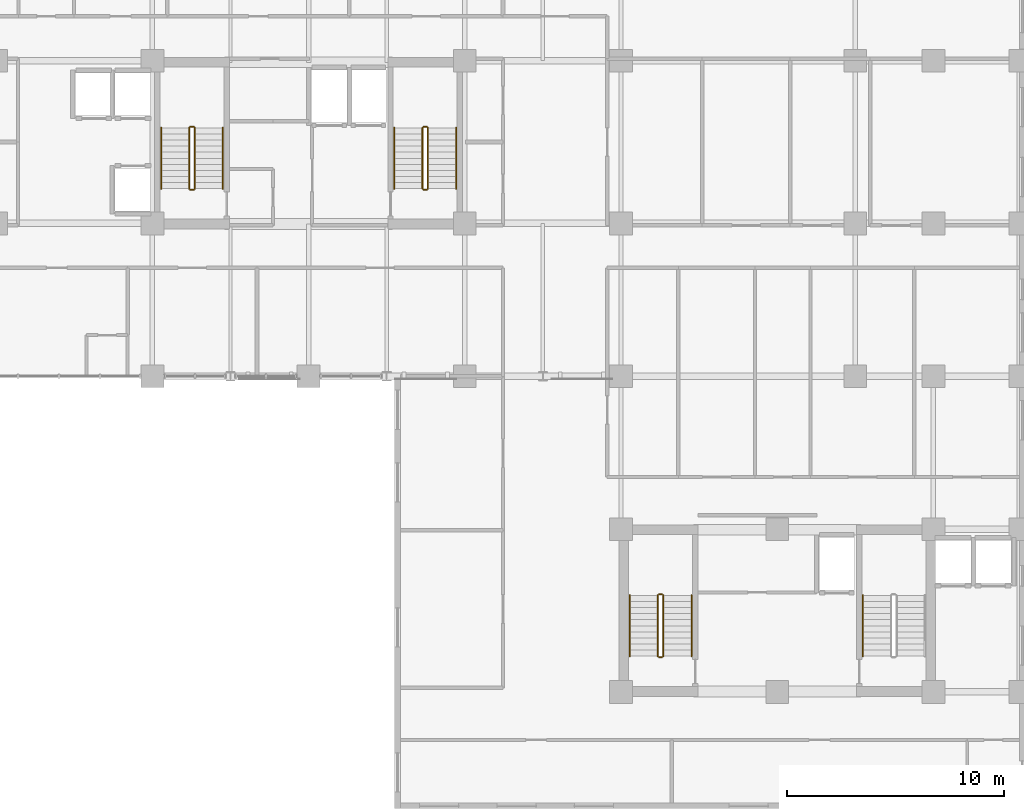
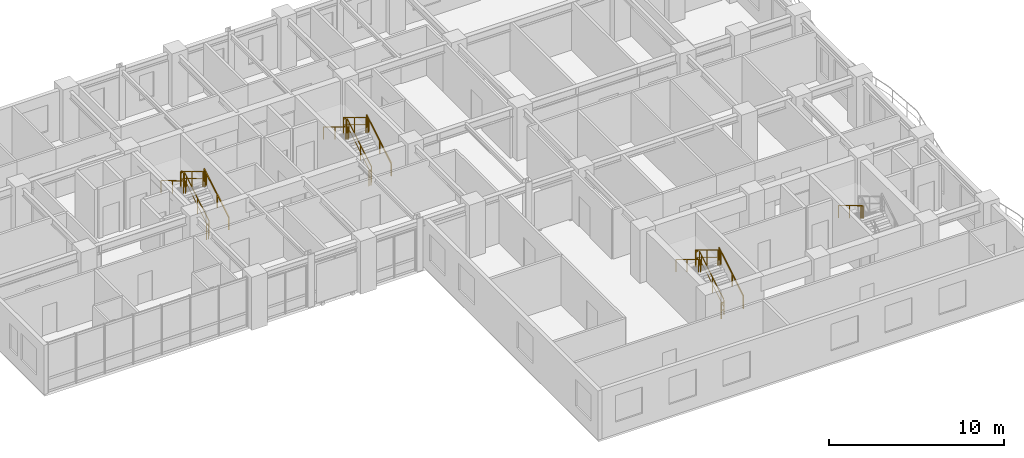
# One storey, part 15 of 17: 19 railings.
"""IFC4 building model written with IfcOpenShell, lengths in metres."""

from ifc_helpers import new_model, si_unit, direction, frame, origin, origin_2d, place, context, subcontext, project, spatial, rectangle, extrude, material, type_object, element, save


model = new_model("IFC4")

# Units and contexts
model_context = context("Model", 3, precision=1e-05, world=origin(), true_north=direction((0.0, 1.0)))
body_context = subcontext(model_context, "Body", "Model", "MODEL_VIEW")
ifc_project = project(units=[si_unit("LENGTHUNIT", "METRE"), si_unit("AREAUNIT", "SQUARE_METRE"), si_unit("VOLUMEUNIT", "CUBIC_METRE"), si_unit("PLANEANGLEUNIT", "RADIAN"), si_unit("MASSUNIT", "GRAM", prefix="KILO")], contexts=[model_context])

# Site, building, storey
site_placement = place(None, origin())
site = spatial("IfcSite", under=ifc_project, at=site_placement, CompositionType="ELEMENT")
building_placement = place(site_placement, origin())
building = spatial("IfcBuilding", under=site, at=building_placement, Name="Kaliganga Portal Commons", CompositionType="ELEMENT")
storey_placement = place(building_placement, frame((0.0, 0.0, 143.89990234375)))
storey = spatial("IfcBuildingStorey", under=building, at=storey_placement, Name="L36", CompositionType="ELEMENT", Elevation=143.89990234375)

# Railings
ifc_material_1 = material(Name="Galvanized Painted Steel Balustrade", Category="steel")
railing_type_1 = type_object("IfcRailingType", Name="RLG-STAIR-GRD", PredefinedType="GUARDRAIL", material=ifc_material_1)
railing_1_placement = place(storey_placement, frame((16.35009765625, 30.25, 0.168212890625)))
element("IfcRailing", 1, at=railing_1_placement, inside=storey, type_object=railing_type_1, Name="L36 ST-A1 stair guard 1", PredefinedType="GUARDRAIL", context=body_context, shape_type="SweptSolid", body=[
    extrude(rectangle(XDim=0.048095703125, YDim=0.048095703125, at=origin_2d()), frame((0.0, 0.0, 1.072021484375), z_axis=(0.0, 0.857242210791, 0.514913383045), x_axis=(-1.0, 0.0, 0.0)), (0.0, 0.0, 1.0), 3.266357421875),
    extrude(rectangle(XDim=0.028076171875, YDim=0.028076171875, at=origin_2d()), frame((0.0, 0.0, 0.572021484375), z_axis=(0.0, 0.857242210791, 0.514913383045), x_axis=(-1.0, 0.0, 0.0)), (0.0, 0.0, 1.0), 3.266357421875),
    extrude(rectangle(XDim=0.0419921875, YDim=0.0419921875, at=origin_2d()), origin(), (0.0, 0.0, 1.0), 1.052001953125),
    extrude(rectangle(XDim=0.0419921875, YDim=0.0419921875, at=origin_2d()), frame((0.0, 1.285888671875, 0.7724609375)), (0.0, 0.0, 1.0), 1.052001953125),
    extrude(rectangle(XDim=0.0419921875, YDim=0.0419921875, at=origin_2d()), frame((0.0, 2.57177734375, 1.544677734375)), (0.0, 0.0, 1.0), 1.052001953125),
    extrude(rectangle(XDim=0.0419921875, YDim=0.0419921875, at=origin_2d()), frame((0.0, 2.800048828125, 1.681884765625)), (0.0, 0.0, 1.0), 1.052001953125),
])
railing_2_placement = place(storey_placement, frame((16.300048828125, 33.10009765625, 1.85009765625)))
element("IfcRailing", 2, at=railing_2_placement, inside=storey, type_object=railing_type_1, Name="L36 ST-A1 stair guard 2", PredefinedType="GUARDRAIL", context=body_context, shape_type="SweptSolid", body=[
    extrude(rectangle(XDim=0.048095703125, YDim=0.048095703125, at=origin_2d()), frame((0.0, 0.0, 1.076171875), z_axis=(-1.0, 0.0, 0.0), x_axis=(0.0, -1.0, 0.0)), (0.0, 0.0, 1.0), 0.150146484375),
    extrude(rectangle(XDim=0.028076171875, YDim=0.028076171875, at=origin_2d()), frame((0.0, 0.0, 0.572021484375), z_axis=(-1.0, 0.0, 0.0), x_axis=(0.0, -1.0, 0.0)), (0.0, 0.0, 1.0), 0.150146484375),
    extrude(rectangle(XDim=0.0419921875, YDim=0.0419921875, at=origin_2d()), origin(), (0.0, 0.0, 1.0), 1.052001953125),
    extrude(rectangle(XDim=0.0419921875, YDim=0.0419921875, at=origin_2d()), frame((-0.150146484375, 0.0, 0.0)), (0.0, 0.0, 1.0), 1.052001953125),
])
railing_3_placement = place(storey_placement, frame((16.10009765625, 33.050048828125, 2.018310546875)))
element("IfcRailing", 3, at=railing_3_placement, inside=storey, type_object=railing_type_1, Name="L36 ST-A1 stair guard 3", PredefinedType="GUARDRAIL", context=body_context, shape_type="SweptSolid", body=[
    extrude(rectangle(XDim=0.048095703125, YDim=0.048095703125, at=origin_2d()), frame((0.0, 0.0, 1.072021484375), z_axis=(0.0, -0.857242210791, 0.514913383045), x_axis=(1.0, 0.0, 0.0)), (0.0, 0.0, 1.0), 3.266357421875),
    extrude(rectangle(XDim=0.028076171875, YDim=0.028076171875, at=origin_2d()), frame((0.0, 0.0, 0.572021484375), z_axis=(0.0, -0.857242210791, 0.514913383045), x_axis=(1.0, 0.0, 0.0)), (0.0, 0.0, 1.0), 3.266357421875),
    extrude(rectangle(XDim=0.0419921875, YDim=0.0419921875, at=origin_2d()), origin(), (0.0, 0.0, 1.0), 1.052001953125),
    extrude(rectangle(XDim=0.0419921875, YDim=0.0419921875, at=origin_2d()), frame((0.0, -1.285888671875, 0.7724609375)), (0.0, 0.0, 1.0), 1.052001953125),
    extrude(rectangle(XDim=0.0419921875, YDim=0.0419921875, at=origin_2d()), frame((0.0, -2.57177734375, 1.544677734375)), (0.0, 0.0, 1.0), 1.052001953125),
    extrude(rectangle(XDim=0.0419921875, YDim=0.0419921875, at=origin_2d()), frame((0.0, -2.800048828125, 1.681884765625)), (0.0, 0.0, 1.0), 1.052001953125),
])
railing_4_placement = place(storey_placement, frame((16.300048828125, 30.199951171875, 0.0)))
element("IfcRailing", 4, at=railing_4_placement, inside=storey, type_object=railing_type_1, Name="L36 ST-A1 stair guard 4", PredefinedType="GUARDRAIL", context=body_context, shape_type="SweptSolid", body=[
    extrude(rectangle(XDim=0.048095703125, YDim=0.048095703125, at=origin_2d()), frame((0.0, 0.0, 1.076171875), z_axis=(-1.0, 0.0, 0.0), x_axis=(0.0, -1.0, 0.0)), (0.0, 0.0, 1.0), 0.150146484375),
    extrude(rectangle(XDim=0.028076171875, YDim=0.028076171875, at=origin_2d()), frame((0.0, 0.0, 0.572021484375), z_axis=(-1.0, 0.0, 0.0), x_axis=(0.0, -1.0, 0.0)), (0.0, 0.0, 1.0), 0.150146484375),
    extrude(rectangle(XDim=0.0419921875, YDim=0.0419921875, at=origin_2d()), origin(), (0.0, 0.0, 1.0), 1.052001953125),
    extrude(rectangle(XDim=0.0419921875, YDim=0.0419921875, at=origin_2d()), frame((-0.150146484375, 0.0, 0.0)), (0.0, 0.0, 1.0), 1.052001953125),
])
railing_5_placement = place(storey_placement, frame((27.10009765625, 30.25, 0.168212890625)))
element("IfcRailing", 5, at=railing_5_placement, inside=storey, type_object=railing_type_1, Name="L36 ST-A2 stair guard 1", PredefinedType="GUARDRAIL", context=body_context, shape_type="SweptSolid", body=[
    extrude(rectangle(XDim=0.048095703125, YDim=0.048095703125, at=origin_2d()), frame((0.0, 0.0, 1.072021484375), z_axis=(0.0, 0.857242210791, 0.514913383045), x_axis=(-1.0, 0.0, 0.0)), (0.0, 0.0, 1.0), 3.266357421875),
    extrude(rectangle(XDim=0.028076171875, YDim=0.028076171875, at=origin_2d()), frame((0.0, 0.0, 0.572021484375), z_axis=(0.0, 0.857242210791, 0.514913383045), x_axis=(-1.0, 0.0, 0.0)), (0.0, 0.0, 1.0), 3.266357421875),
    extrude(rectangle(XDim=0.0419921875, YDim=0.0419921875, at=origin_2d()), origin(), (0.0, 0.0, 1.0), 1.052001953125),
    extrude(rectangle(XDim=0.0419921875, YDim=0.0419921875, at=origin_2d()), frame((0.0, 1.285888671875, 0.7724609375)), (0.0, 0.0, 1.0), 1.052001953125),
    extrude(rectangle(XDim=0.0419921875, YDim=0.0419921875, at=origin_2d()), frame((0.0, 2.57177734375, 1.544677734375)), (0.0, 0.0, 1.0), 1.052001953125),
    extrude(rectangle(XDim=0.0419921875, YDim=0.0419921875, at=origin_2d()), frame((0.0, 2.800048828125, 1.681884765625)), (0.0, 0.0, 1.0), 1.052001953125),
])
railing_6_placement = place(storey_placement, frame((27.050048828125, 33.10009765625, 1.85009765625)))
element("IfcRailing", 6, at=railing_6_placement, inside=storey, type_object=railing_type_1, Name="L36 ST-A2 stair guard 2", PredefinedType="GUARDRAIL", context=body_context, shape_type="SweptSolid", body=[
    extrude(rectangle(XDim=0.048095703125, YDim=0.048095703125, at=origin_2d()), frame((0.0, 0.0, 1.076171875), z_axis=(-1.0, 0.0, 0.0), x_axis=(0.0, -1.0, 0.0)), (0.0, 0.0, 1.0), 0.150146484375),
    extrude(rectangle(XDim=0.028076171875, YDim=0.028076171875, at=origin_2d()), frame((0.0, 0.0, 0.572021484375), z_axis=(-1.0, 0.0, 0.0), x_axis=(0.0, -1.0, 0.0)), (0.0, 0.0, 1.0), 0.150146484375),
    extrude(rectangle(XDim=0.0419921875, YDim=0.0419921875, at=origin_2d()), origin(), (0.0, 0.0, 1.0), 1.052001953125),
    extrude(rectangle(XDim=0.0419921875, YDim=0.0419921875, at=origin_2d()), frame((-0.150146484375, 0.0, 0.0)), (0.0, 0.0, 1.0), 1.052001953125),
])
railing_7_placement = place(storey_placement, frame((26.85009765625, 33.050048828125, 2.018310546875)))
element("IfcRailing", 7, at=railing_7_placement, inside=storey, type_object=railing_type_1, Name="L36 ST-A2 stair guard 3", PredefinedType="GUARDRAIL", context=body_context, shape_type="SweptSolid", body=[
    extrude(rectangle(XDim=0.048095703125, YDim=0.048095703125, at=origin_2d()), frame((0.0, 0.0, 1.072021484375), z_axis=(0.0, -0.857242210791, 0.514913383045), x_axis=(1.0, 0.0, 0.0)), (0.0, 0.0, 1.0), 3.266357421875),
    extrude(rectangle(XDim=0.028076171875, YDim=0.028076171875, at=origin_2d()), frame((0.0, 0.0, 0.572021484375), z_axis=(0.0, -0.857242210791, 0.514913383045), x_axis=(1.0, 0.0, 0.0)), (0.0, 0.0, 1.0), 3.266357421875),
    extrude(rectangle(XDim=0.0419921875, YDim=0.0419921875, at=origin_2d()), origin(), (0.0, 0.0, 1.0), 1.052001953125),
    extrude(rectangle(XDim=0.0419921875, YDim=0.0419921875, at=origin_2d()), frame((0.0, -1.285888671875, 0.7724609375)), (0.0, 0.0, 1.0), 1.052001953125),
    extrude(rectangle(XDim=0.0419921875, YDim=0.0419921875, at=origin_2d()), frame((0.0, -2.57177734375, 1.544677734375)), (0.0, 0.0, 1.0), 1.052001953125),
    extrude(rectangle(XDim=0.0419921875, YDim=0.0419921875, at=origin_2d()), frame((0.0, -2.800048828125, 1.681884765625)), (0.0, 0.0, 1.0), 1.052001953125),
])
railing_8_placement = place(storey_placement, frame((27.050048828125, 30.199951171875, 0.0)))
element("IfcRailing", 8, at=railing_8_placement, inside=storey, type_object=railing_type_1, Name="L36 ST-A2 stair guard 4", PredefinedType="GUARDRAIL", context=body_context, shape_type="SweptSolid", body=[
    extrude(rectangle(XDim=0.048095703125, YDim=0.048095703125, at=origin_2d()), frame((0.0, 0.0, 1.076171875), z_axis=(-1.0, 0.0, 0.0), x_axis=(0.0, -1.0, 0.0)), (0.0, 0.0, 1.0), 0.150146484375),
    extrude(rectangle(XDim=0.028076171875, YDim=0.028076171875, at=origin_2d()), frame((0.0, 0.0, 0.572021484375), z_axis=(-1.0, 0.0, 0.0), x_axis=(0.0, -1.0, 0.0)), (0.0, 0.0, 1.0), 0.150146484375),
    extrude(rectangle(XDim=0.0419921875, YDim=0.0419921875, at=origin_2d()), origin(), (0.0, 0.0, 1.0), 1.052001953125),
    extrude(rectangle(XDim=0.0419921875, YDim=0.0419921875, at=origin_2d()), frame((-0.150146484375, 0.0, 0.0)), (0.0, 0.0, 1.0), 1.052001953125),
])
railing_9_placement = place(storey_placement, frame((37.949951171875, 8.699951171875, 0.168212890625)))
element("IfcRailing", 9, at=railing_9_placement, inside=storey, type_object=railing_type_1, Name="L36 ST-B1 stair guard 1", PredefinedType="GUARDRAIL", context=body_context, shape_type="SweptSolid", body=[
    extrude(rectangle(XDim=0.048095703125, YDim=0.048095703125, at=origin_2d()), frame((0.0, 0.0, 1.072021484375), z_axis=(0.0, 0.857242210791, 0.514913383045), x_axis=(-1.0, 0.0, 0.0)), (0.0, 0.0, 1.0), 3.266357421875),
    extrude(rectangle(XDim=0.028076171875, YDim=0.028076171875, at=origin_2d()), frame((0.0, 0.0, 0.572021484375), z_axis=(0.0, 0.857242210791, 0.514913383045), x_axis=(-1.0, 0.0, 0.0)), (0.0, 0.0, 1.0), 3.266357421875),
    extrude(rectangle(XDim=0.0419921875, YDim=0.0419921875, at=origin_2d()), origin(), (0.0, 0.0, 1.0), 1.052001953125),
    extrude(rectangle(XDim=0.0419921875, YDim=0.0419921875, at=origin_2d()), frame((0.0, 1.285888671875, 0.7724609375)), (0.0, 0.0, 1.0), 1.052001953125),
    extrude(rectangle(XDim=0.0419921875, YDim=0.0419921875, at=origin_2d()), frame((0.0, 2.57177734375, 1.544677734375)), (0.0, 0.0, 1.0), 1.052001953125),
    extrude(rectangle(XDim=0.0419921875, YDim=0.0419921875, at=origin_2d()), frame((0.0, 2.800048828125, 1.681884765625)), (0.0, 0.0, 1.0), 1.052001953125),
])
railing_10_placement = place(storey_placement, frame((37.89990234375, 11.550048828125, 1.85009765625)))
element("IfcRailing", 10, at=railing_10_placement, inside=storey, type_object=railing_type_1, Name="L36 ST-B1 stair guard 2", PredefinedType="GUARDRAIL", context=body_context, shape_type="SweptSolid", body=[
    extrude(rectangle(XDim=0.048095703125, YDim=0.048095703125, at=origin_2d()), frame((0.0, 0.0, 1.076171875), z_axis=(-1.0, 0.0, 0.0), x_axis=(0.0, -1.0, 0.0)), (0.0, 0.0, 1.0), 0.14990234375),
    extrude(rectangle(XDim=0.028076171875, YDim=0.028076171875, at=origin_2d()), frame((0.0, 0.0, 0.572021484375), z_axis=(-1.0, 0.0, 0.0), x_axis=(0.0, -1.0, 0.0)), (0.0, 0.0, 1.0), 0.14990234375),
    extrude(rectangle(XDim=0.0419921875, YDim=0.0419921875, at=origin_2d()), frame((-0.14990234375, 0.0, 0.0)), (0.0, 0.0, 1.0), 1.052001953125),
])
railing_11_placement = place(storey_placement, frame((37.699951171875, 11.5, 2.018310546875)))
element("IfcRailing", 11, at=railing_11_placement, inside=storey, type_object=railing_type_1, Name="L36 ST-B1 stair guard 3", PredefinedType="GUARDRAIL", context=body_context, shape_type="SweptSolid", body=[
    extrude(rectangle(XDim=0.048095703125, YDim=0.048095703125, at=origin_2d()), frame((0.0, 0.0, 1.072021484375), z_axis=(0.0, -0.857242210791, 0.514913383045), x_axis=(1.0, 0.0, 0.0)), (0.0, 0.0, 1.0), 3.266357421875),
    extrude(rectangle(XDim=0.028076171875, YDim=0.028076171875, at=origin_2d()), frame((0.0, 0.0, 0.572021484375), z_axis=(0.0, -0.857242210791, 0.514913383045), x_axis=(1.0, 0.0, 0.0)), (0.0, 0.0, 1.0), 3.266357421875),
    extrude(rectangle(XDim=0.0419921875, YDim=0.0419921875, at=origin_2d()), origin(), (0.0, 0.0, 1.0), 1.052001953125),
    extrude(rectangle(XDim=0.0419921875, YDim=0.0419921875, at=origin_2d()), frame((0.0, -1.285888671875, 0.7724609375)), (0.0, 0.0, 1.0), 1.052001953125),
    extrude(rectangle(XDim=0.0419921875, YDim=0.0419921875, at=origin_2d()), frame((0.0, -2.57177734375, 1.544677734375)), (0.0, 0.0, 1.0), 1.052001953125),
    extrude(rectangle(XDim=0.0419921875, YDim=0.0419921875, at=origin_2d()), frame((0.0, -2.800048828125, 1.681884765625)), (0.0, 0.0, 1.0), 1.052001953125),
])
railing_12_placement = place(storey_placement, frame((37.89990234375, 8.64990234375, 0.0)))
element("IfcRailing", 12, at=railing_12_placement, inside=storey, type_object=railing_type_1, Name="L36 ST-B1 stair guard 4", PredefinedType="GUARDRAIL", context=body_context, shape_type="SweptSolid", body=[
    extrude(rectangle(XDim=0.048095703125, YDim=0.048095703125, at=origin_2d()), frame((0.0, 0.0, 1.076171875), z_axis=(-1.0, 0.0, 0.0), x_axis=(0.0, -1.0, 0.0)), (0.0, 0.0, 1.0), 0.14990234375),
    extrude(rectangle(XDim=0.028076171875, YDim=0.028076171875, at=origin_2d()), frame((0.0, 0.0, 0.572021484375), z_axis=(-1.0, 0.0, 0.0), x_axis=(0.0, -1.0, 0.0)), (0.0, 0.0, 1.0), 0.14990234375),
    extrude(rectangle(XDim=0.0419921875, YDim=0.0419921875, at=origin_2d()), frame((-0.14990234375, 0.0, 0.0)), (0.0, 0.0, 1.0), 1.052001953125),
])
ifc_material_2 = material(Name="Brushed Stainless Steel 316", Category="steel")
railing_type_2 = type_object("IfcRailingType", Name="RLG-STAIR-HR", PredefinedType="HANDRAIL", material=ifc_material_2)
railing_13_placement = place(storey_placement, frame((17.64990234375, 30.25, 0.168212890625)))
element("IfcRailing", 13, at=railing_13_placement, inside=storey, type_object=railing_type_2, Name="L36 ST-A1 stair handrail 1", PredefinedType="HANDRAIL", context=body_context, shape_type="SweptSolid", body=[
    extrude(rectangle(XDim=0.048095703125, YDim=0.048095703125, at=origin_2d()), frame((0.0, 0.0, 0.871826171875), z_axis=(0.0, 0.857242210791, 0.514913383045), x_axis=(-1.0, 0.0, 0.0)), (0.0, 0.0, 1.0), 3.266357421875),
    extrude(rectangle(XDim=0.0419921875, YDim=0.0419921875, at=origin_2d()), origin(), (0.0, 0.0, 1.0), 0.851806640625),
    extrude(rectangle(XDim=0.0419921875, YDim=0.0419921875, at=origin_2d()), frame((0.0, 1.285888671875, 0.7724609375)), (0.0, 0.0, 1.0), 0.851806640625),
    extrude(rectangle(XDim=0.0419921875, YDim=0.0419921875, at=origin_2d()), frame((0.0, 2.57177734375, 1.544677734375)), (0.0, 0.0, 1.0), 0.851806640625),
    extrude(rectangle(XDim=0.0419921875, YDim=0.0419921875, at=origin_2d()), frame((0.0, 2.800048828125, 1.681884765625)), (0.0, 0.0, 1.0), 0.851806640625),
])
railing_14_placement = place(storey_placement, frame((14.800048828125, 33.050048828125, 2.018310546875)))
element("IfcRailing", 14, at=railing_14_placement, inside=storey, type_object=railing_type_2, Name="L36 ST-A1 stair handrail 2", PredefinedType="HANDRAIL", context=body_context, shape_type="SweptSolid", body=[
    extrude(rectangle(XDim=0.048095703125, YDim=0.048095703125, at=origin_2d()), frame((0.0, 0.0, 0.871826171875), z_axis=(0.0, -0.857242210791, 0.514913383045), x_axis=(1.0, 0.0, 0.0)), (0.0, 0.0, 1.0), 3.266357421875),
    extrude(rectangle(XDim=0.0419921875, YDim=0.0419921875, at=origin_2d()), origin(), (0.0, 0.0, 1.0), 0.851806640625),
    extrude(rectangle(XDim=0.0419921875, YDim=0.0419921875, at=origin_2d()), frame((0.0, -1.285888671875, 0.7724609375)), (0.0, 0.0, 1.0), 0.851806640625),
    extrude(rectangle(XDim=0.0419921875, YDim=0.0419921875, at=origin_2d()), frame((0.0, -2.57177734375, 1.544677734375)), (0.0, 0.0, 1.0), 0.851806640625),
    extrude(rectangle(XDim=0.0419921875, YDim=0.0419921875, at=origin_2d()), frame((0.0, -2.800048828125, 1.681884765625)), (0.0, 0.0, 1.0), 0.851806640625),
])
railing_15_placement = place(storey_placement, frame((28.39990234375, 30.25, 0.168212890625)))
element("IfcRailing", 15, at=railing_15_placement, inside=storey, type_object=railing_type_2, Name="L36 ST-A2 stair handrail 1", PredefinedType="HANDRAIL", context=body_context, shape_type="SweptSolid", body=[
    extrude(rectangle(XDim=0.048095703125, YDim=0.048095703125, at=origin_2d()), frame((0.0, 0.0, 0.871826171875), z_axis=(0.0, 0.857242210791, 0.514913383045), x_axis=(-1.0, 0.0, 0.0)), (0.0, 0.0, 1.0), 3.266357421875),
    extrude(rectangle(XDim=0.0419921875, YDim=0.0419921875, at=origin_2d()), origin(), (0.0, 0.0, 1.0), 0.851806640625),
    extrude(rectangle(XDim=0.0419921875, YDim=0.0419921875, at=origin_2d()), frame((0.0, 1.285888671875, 0.7724609375)), (0.0, 0.0, 1.0), 0.851806640625),
    extrude(rectangle(XDim=0.0419921875, YDim=0.0419921875, at=origin_2d()), frame((0.0, 2.57177734375, 1.544677734375)), (0.0, 0.0, 1.0), 0.851806640625),
    extrude(rectangle(XDim=0.0419921875, YDim=0.0419921875, at=origin_2d()), frame((0.0, 2.800048828125, 1.681884765625)), (0.0, 0.0, 1.0), 0.851806640625),
])
railing_16_placement = place(storey_placement, frame((25.550048828125, 33.050048828125, 2.018310546875)))
element("IfcRailing", 16, at=railing_16_placement, inside=storey, type_object=railing_type_2, Name="L36 ST-A2 stair handrail 2", PredefinedType="HANDRAIL", context=body_context, shape_type="SweptSolid", body=[
    extrude(rectangle(XDim=0.048095703125, YDim=0.048095703125, at=origin_2d()), frame((0.0, 0.0, 0.871826171875), z_axis=(0.0, -0.857242210791, 0.514913383045), x_axis=(1.0, 0.0, 0.0)), (0.0, 0.0, 1.0), 3.266357421875),
    extrude(rectangle(XDim=0.0419921875, YDim=0.0419921875, at=origin_2d()), origin(), (0.0, 0.0, 1.0), 0.851806640625),
    extrude(rectangle(XDim=0.0419921875, YDim=0.0419921875, at=origin_2d()), frame((0.0, -1.285888671875, 0.7724609375)), (0.0, 0.0, 1.0), 0.851806640625),
    extrude(rectangle(XDim=0.0419921875, YDim=0.0419921875, at=origin_2d()), frame((0.0, -2.57177734375, 1.544677734375)), (0.0, 0.0, 1.0), 0.851806640625),
    extrude(rectangle(XDim=0.0419921875, YDim=0.0419921875, at=origin_2d()), frame((0.0, -2.800048828125, 1.681884765625)), (0.0, 0.0, 1.0), 0.851806640625),
])
railing_17_placement = place(storey_placement, frame((39.25, 8.699951171875, 0.168212890625)))
element("IfcRailing", 17, at=railing_17_placement, inside=storey, type_object=railing_type_2, Name="L36 ST-B1 stair handrail 1", PredefinedType="HANDRAIL", context=body_context, shape_type="SweptSolid", body=[
    extrude(rectangle(XDim=0.048095703125, YDim=0.048095703125, at=origin_2d()), frame((0.0, 0.0, 0.871826171875), z_axis=(0.0, 0.857242210791, 0.514913383045), x_axis=(-1.0, 0.0, 0.0)), (0.0, 0.0, 1.0), 3.266357421875),
    extrude(rectangle(XDim=0.0419921875, YDim=0.0419921875, at=origin_2d()), origin(), (0.0, 0.0, 1.0), 0.851806640625),
    extrude(rectangle(XDim=0.0419921875, YDim=0.0419921875, at=origin_2d()), frame((0.0, 1.285888671875, 0.7724609375)), (0.0, 0.0, 1.0), 0.851806640625),
    extrude(rectangle(XDim=0.0419921875, YDim=0.0419921875, at=origin_2d()), frame((0.0, 2.57177734375, 1.544677734375)), (0.0, 0.0, 1.0), 0.851806640625),
    extrude(rectangle(XDim=0.0419921875, YDim=0.0419921875, at=origin_2d()), frame((0.0, 2.800048828125, 1.681884765625)), (0.0, 0.0, 1.0), 0.851806640625),
])
for number, where, name in (
    (18, (36.39990234375, 11.5, 2.018310546875), "L36 ST-B1 stair handrail 2"),
    (19, (47.14990234375, 11.5, 2.018310546875), "L36 ST-B2 stair handrail 2"),
):
    element("IfcRailing", number, at=place(storey_placement, frame(where)), inside=storey, type_object=railing_type_2, Name=name, PredefinedType="HANDRAIL", context=body_context, shape_type="SweptSolid", body=[
        extrude(rectangle(XDim=0.048095703125, YDim=0.048095703125, at=origin_2d()), frame((0.0, 0.0, 0.871826171875), z_axis=(0.0, -0.857242210791, 0.514913383045), x_axis=(1.0, 0.0, 0.0)), (0.0, 0.0, 1.0), 3.266357421875),
        extrude(rectangle(XDim=0.0419921875, YDim=0.0419921875, at=origin_2d()), origin(), (0.0, 0.0, 1.0), 0.851806640625),
        extrude(rectangle(XDim=0.0419921875, YDim=0.0419921875, at=origin_2d()), frame((0.0, -1.285888671875, 0.7724609375)), (0.0, 0.0, 1.0), 0.851806640625),
        extrude(rectangle(XDim=0.0419921875, YDim=0.0419921875, at=origin_2d()), frame((0.0, -2.57177734375, 1.544677734375)), (0.0, 0.0, 1.0), 0.851806640625),
        extrude(rectangle(XDim=0.0419921875, YDim=0.0419921875, at=origin_2d()), frame((0.0, -2.800048828125, 1.681884765625)), (0.0, 0.0, 1.0), 0.851806640625),
    ])

save(model, "model.ifc")
